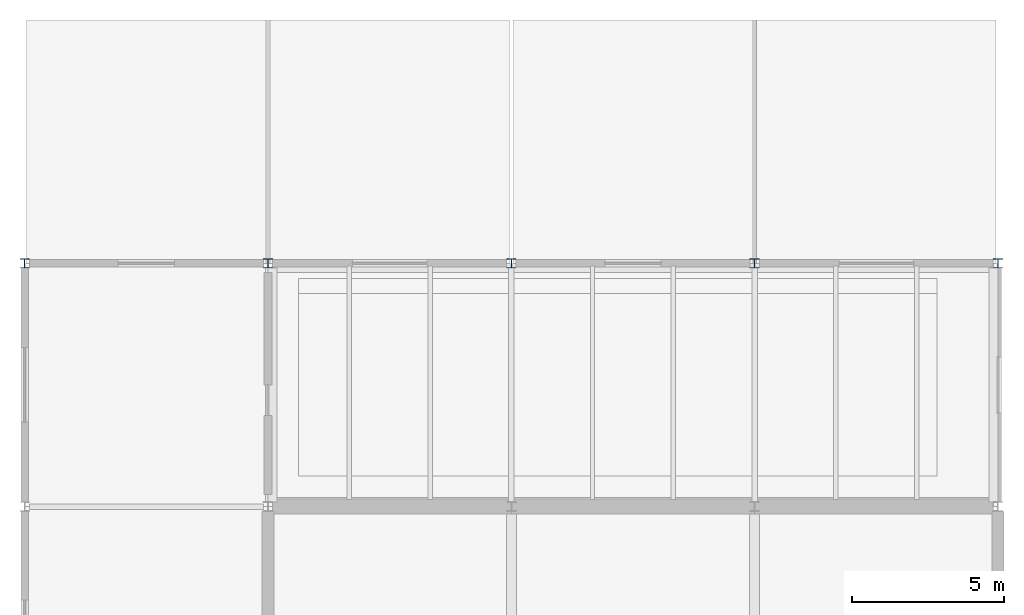
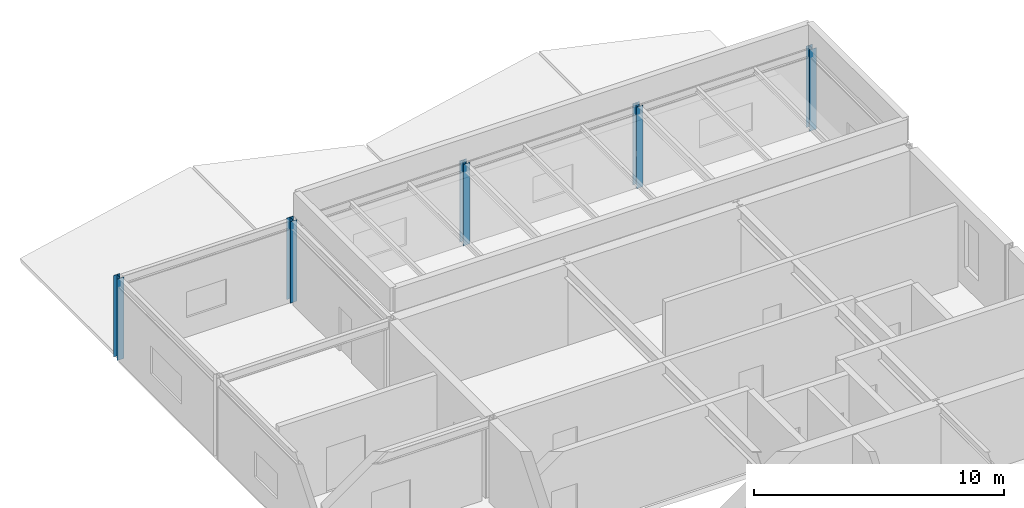
# One storey, part 3 of 7: 5 columns.
"""IFC4 building model written with IfcOpenShell, lengths in metres."""

from ifc_helpers import new_model, si_unit, direction, frame, origin, origin_2d, place, context, subcontext, project, spatial, i_section, extrude, material, material_profile, profile_set, type_object, element, save


model = new_model("IFC4")

# Units and contexts
model_context = context("Model", 3, precision=1e-05, world=origin(), true_north=direction((0.0, 1.0)))
body_context = subcontext(model_context, "Body", "Model", "MODEL_VIEW")
ifc_project = project(units=[si_unit("LENGTHUNIT", "METRE"), si_unit("AREAUNIT", "SQUARE_METRE"), si_unit("VOLUMEUNIT", "CUBIC_METRE"), si_unit("PLANEANGLEUNIT", "RADIAN"), si_unit("MASSUNIT", "GRAM", prefix="KILO")], contexts=[model_context])

# Site, building, storey
site_placement = place(None, origin())
site = spatial("IfcSite", under=ifc_project, at=site_placement, CompositionType="ELEMENT")
building_placement = place(site_placement, origin())
building = spatial("IfcBuilding", under=site, at=building_placement, Name="Varnela Railside Interchange", CompositionType="ELEMENT")
storey_placement = place(building_placement, frame((0.0, 0.0, 36.39990234375)))
storey = spatial("IfcBuildingStorey", under=building, at=storey_placement, Name="L08", CompositionType="ELEMENT", Elevation=36.39990234375)

# Columns
ifc_material = material(Name="Steel AR 350 (350 MPa)", Category="steel")
ifc_material_profile = material_profile(ifc_material, i_section(OverallWidth=0.30810546875, OverallDepth=0.302978515625, WebThickness=0.01318359375, FlangeThickness=0.01318359375, at=origin_2d()), Name="HP310x93")
ifc_profile_set = profile_set([ifc_material_profile], Name="Steel AR 350 (350 MPa)")
column_type = type_object("IfcColumnType", Name="Roof Canopy Post Column C-22", PredefinedType="COLUMN", material=ifc_profile_set)
for number, where, z_axis, x_axis, name in (
    (1, (4.0, 78.0, 0.0), (0.0, 0.0, 1.0), (1.0, 0.0, 0.0), "Column C-22 (L08) (CL-1080)"),
    (2, (12.0, 78.0, 0.0), (0.0, 0.0, 1.0), (1.0, 0.0, 0.0), "Column C-22 (L08) (CL-1085)"),
    (3, (20.0, 78.0, 0.0), (0.0, 0.0, 1.0), (1.0, 0.0, 0.0), "Column C-22 (L08) (CL-1089)"),
    (4, (28.0, 78.0, 0.0), (0.0, 0.0, 1.0), (1.0, 0.0, 0.0), "Column C-22 (L08) (CL-1093)"),
    (5, (36.0, 78.0, 0.0), (0.0, 0.0, 1.0), (1.0, 0.0, 0.0), "Column C-22 (L08) (CL-1098)"),
):
    element("IfcColumn", number, at=place(storey_placement, frame(where, z_axis=z_axis, x_axis=x_axis)), inside=storey, type_object=column_type, Name=name, PredefinedType="COLUMN", context=body_context, shape_type="SweptSolid", body=[
        extrude(i_section(OverallWidth=0.30810546875, OverallDepth=0.302978515625, WebThickness=0.01318359375, FlangeThickness=0.01318359375, at=origin_2d()), origin(), (0.0, 0.0, 1.0), 3.97998046875),
    ])

save(model, "model.ifc")
